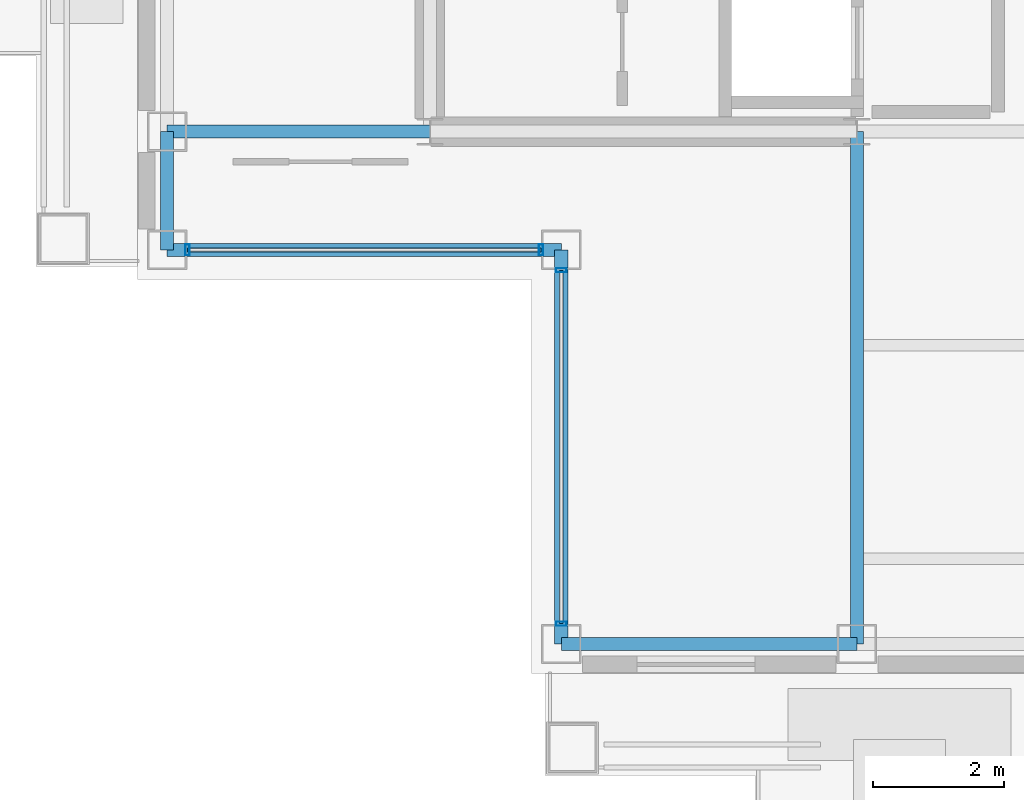
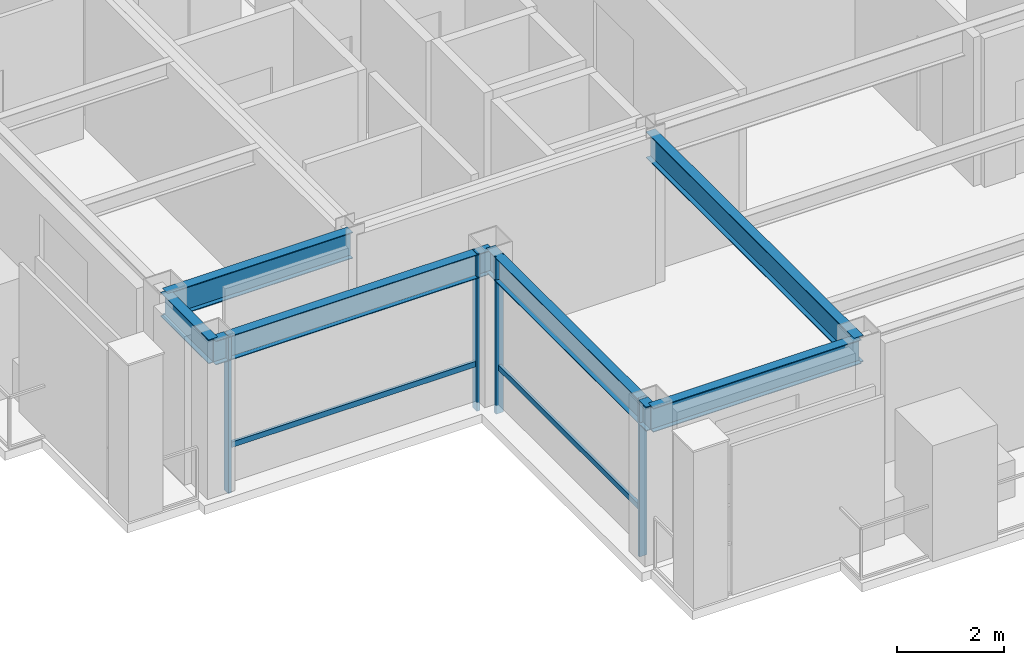
# One storey, part 3 of 27: 6 beams, 6 members, 2 elements without a shape of their own.
"""IFC4 building model written with IfcOpenShell, lengths in metres."""

from ifc_helpers import new_model, si_unit, direction, frame, origin, origin_2d, place, context, subcontext, project, spatial, hollow_rectangle, i_section, extrude, material, layer, layer_set, material_profile, profile_set, type_object, element, aggregate, save


model = new_model("IFC4")

# Units and contexts
model_context = context("Model", 3, precision=1e-05, world=origin(), true_north=direction((0.0, 1.0)))
body_context = subcontext(model_context, "Body", "Model", "MODEL_VIEW")
ifc_project = project(units=[si_unit("LENGTHUNIT", "METRE"), si_unit("AREAUNIT", "SQUARE_METRE"), si_unit("VOLUMEUNIT", "CUBIC_METRE"), si_unit("PLANEANGLEUNIT", "RADIAN"), si_unit("MASSUNIT", "GRAM", prefix="KILO")], contexts=[model_context])

# Site, building, storey
site_placement = place(None, origin())
site = spatial("IfcSite", under=ifc_project, at=site_placement, CompositionType="ELEMENT")
building_placement = place(site_placement, origin())
building = spatial("IfcBuilding", under=site, at=building_placement, Name="Brelmoor Portico Tower", CompositionType="ELEMENT")
storey_placement = place(building_placement, frame((0.0, 0.0, 258.0)))
storey = spatial("IfcBuildingStorey", under=building, at=storey_placement, Name="L68", CompositionType="ELEMENT", Elevation=258.0)

# Beams
ifc_material_1 = material(Name="Steel Q355B", Category="steel")
ifc_material_profile_1 = material_profile(ifc_material_1, i_section(OverallWidth=0.199951171875, OverallDepth=0.60009765625, WebThickness=0.010986328125, FlangeThickness=0.01708984375, at=origin_2d()), Name="HN 600x200x11x17")
ifc_profile_set_1 = profile_set([ifc_material_profile_1], Name="Steel Q355B")
beam_type_1 = type_object("IfcBeamType", Name="BM-PG-600", PredefinedType="BEAM", material=ifc_profile_set_1)
beam_1_placement = place(storey_placement, frame((-8.050048828125, -17.550048828125, 3.10009765625), z_axis=(0.0, 1.0, 0.0), x_axis=(-1.0, 0.0, 0.0)))
element("IfcBeam", 1, at=beam_1_placement, inside=storey, type_object=beam_type_1, Name="L68 Primary Floor Girder PG-03", PredefinedType="BEAM", context=body_context, shape_type="SweptSolid", body=[
    extrude(i_section(OverallWidth=0.199951171875, OverallDepth=0.60009765625, WebThickness=0.010986328125, FlangeThickness=0.01708984375, at=origin_2d()), origin(), (0.0, 0.0, 1.0), 7.800048828125),
])
beam_2_placement = place(storey_placement, frame((-18.550048828125, -9.75, 3.10009765625), z_axis=(1.0, 0.0, 0.0), x_axis=(0.0, 1.0, 0.0)))
element("IfcBeam", 2, at=beam_2_placement, inside=storey, type_object=beam_type_1, Name="L68 Primary Floor Girder PG-11", PredefinedType="BEAM", context=body_context, shape_type="SweptSolid", body=[
    extrude(i_section(OverallWidth=0.199951171875, OverallDepth=0.60009765625, WebThickness=0.010986328125, FlangeThickness=0.01708984375, at=origin_2d()), origin(), (0.0, 0.0, 1.0), 4.0),
])
ifc_material_profile_2 = material_profile(ifc_material_1, i_section(OverallWidth=0.199951171875, OverallDepth=0.550048828125, WebThickness=0.010009765625, FlangeThickness=0.01611328125, at=origin_2d()), Name="HN 550x200x10x16")
ifc_profile_set_2 = profile_set([ifc_material_profile_2], Name="Steel Q355B")
beam_type_2 = type_object("IfcBeamType", Name="BM-SP-550", PredefinedType="SPANDREL", material=ifc_profile_set_2)
beam_3_placement = place(storey_placement, frame((-12.550048828125, -17.550048828125, 3.125), z_axis=(1.0, 0.0, 0.0), x_axis=(0.0, 1.0, 0.0)))
element("IfcBeam", 3, at=beam_3_placement, inside=storey, type_object=beam_type_2, Name="L68 Perimeter Spandrel Beam SP-01", PredefinedType="SPANDREL", context=body_context, shape_type="SweptSolid", body=[
    extrude(i_section(OverallWidth=0.199951171875, OverallDepth=0.550048828125, WebThickness=0.010009765625, FlangeThickness=0.01611328125, at=origin_2d()), origin(), (0.0, 0.0, 1.0), 4.5),
])
beam_4_placement = place(storey_placement, frame((-18.550048828125, -11.550048828125, 3.125), z_axis=(1.0, 0.0, 0.0), x_axis=(0.0, 1.0, 0.0)))
element("IfcBeam", 4, at=beam_4_placement, inside=storey, type_object=beam_type_2, Name="L68 Perimeter Spandrel Beam SP-04", PredefinedType="SPANDREL", context=body_context, shape_type="SweptSolid", body=[
    extrude(i_section(OverallWidth=0.199951171875, OverallDepth=0.550048828125, WebThickness=0.010009765625, FlangeThickness=0.01611328125, at=origin_2d()), origin(), (0.0, 0.0, 1.0), 6.0),
])
beam_5_placement = place(storey_placement, frame((-18.550048828125, -11.550048828125, 3.125), z_axis=(0.0, 1.0, 0.0), x_axis=(-1.0, 0.0, 0.0)))
element("IfcBeam", 5, at=beam_5_placement, inside=storey, type_object=beam_type_2, Name="L68 Perimeter Spandrel Beam SP-11", PredefinedType="SPANDREL", context=body_context, shape_type="SweptSolid", body=[
    extrude(i_section(OverallWidth=0.199951171875, OverallDepth=0.550048828125, WebThickness=0.010009765625, FlangeThickness=0.01611328125, at=origin_2d()), origin(), (0.0, 0.0, 1.0), 1.800048828125),
])
beam_6_placement = place(storey_placement, frame((-12.550048828125, -17.550048828125, 3.125), z_axis=(0.0, 1.0, 0.0), x_axis=(-1.0, 0.0, 0.0)))
element("IfcBeam", 6, at=beam_6_placement, inside=storey, type_object=beam_type_2, Name="L68 Perimeter Spandrel Beam SP-14", PredefinedType="SPANDREL", context=body_context, shape_type="SweptSolid", body=[
    extrude(i_section(OverallWidth=0.199951171875, OverallDepth=0.550048828125, WebThickness=0.010009765625, FlangeThickness=0.01611328125, at=origin_2d()), origin(), (0.0, 0.0, 1.0), 6.0),
])

# Curtain wall, members
ifc_material_2 = material(Name="Anodised Aluminium Alloy 6063-T6", Category="aluminium")
ifc_layer = layer(ifc_material_2, 0.179931640625)
ifc_layer_set = layer_set([ifc_layer], Name="Anodised Aluminium Alloy 6063-T6")
curtain_wall_type = type_object("IfcCurtainWallType", Name="CW-NOTCH-CHAMFER", PredefinedType="NOTDEFINED", material=ifc_layer_set)
curtain_wall_1_placement = place(storey_placement, origin())
curtain_wall_1 = element("IfcCurtainWall", 7, at=curtain_wall_1_placement, inside=storey, type_object=curtain_wall_type, Name="L68 Curtain Wall CWN-L68-SWH", PredefinedType="NOTDEFINED")
ifc_material_profile_3 = material_profile(ifc_material_2, hollow_rectangle(XDim=0.06494140625, YDim=0.1650390625, WallThickness=0.00390625, at=origin_2d()), Name="ALU MULLION 65x165")
ifc_profile_set_3 = profile_set([ifc_material_profile_3], Name="Anodised Aluminium Alloy 6063-T6")
member_type_1 = type_object("IfcMemberType", Name="MB-CW-MULL-165", PredefinedType="MULLION", material=ifc_profile_set_3)
member_1_placement = place(storey_placement, frame((-18.239990234375, -11.550048828125, -0.199951171875), z_axis=(0.0, 0.0, 1.0), x_axis=(1.0, 0.0, 0.0)))
member_1 = element("IfcMember", 8, at=member_1_placement, type_object=member_type_1, Name="CWN-L68-SWH Mullion 00", PredefinedType="MULLION", context=body_context, shape_type="SweptSolid", body=[
    extrude(hollow_rectangle(XDim=0.06494140625, YDim=0.1650390625, WallThickness=0.00390625, at=origin_2d()), origin(), (0.0, 0.0, 1.0), 3.599853515625),
])
member_2_placement = place(storey_placement, frame((-12.860107421875, -11.550048828125, -0.199951171875), z_axis=(0.0, 0.0, 1.0), x_axis=(1.0, 0.0, 0.0)))
member_2 = element("IfcMember", 9, at=member_2_placement, type_object=member_type_1, Name="CWN-L68-SWH Mullion 01", PredefinedType="MULLION", context=body_context, shape_type="SweptSolid", body=[
    extrude(hollow_rectangle(XDim=0.06494140625, YDim=0.1650390625, WallThickness=0.00390625, at=origin_2d()), origin(), (0.0, 0.0, 1.0), 3.599853515625),
])

curtain_wall_2_placement = place(storey_placement, origin())
curtain_wall_2 = element("IfcCurtainWall", 10, at=curtain_wall_2_placement, inside=storey, type_object=curtain_wall_type, Name="L68 Curtain Wall CWN-L68-SWV", PredefinedType="NOTDEFINED")
member_3_placement = place(storey_placement, frame((-12.550048828125, -17.239990234375, -0.199951171875), z_axis=(0.0, 0.0, 1.0), x_axis=(0.0, 1.0, 0.0)))
member_3 = element("IfcMember", 11, at=member_3_placement, type_object=member_type_1, Name="CWN-L68-SWV Mullion 00", PredefinedType="MULLION", context=body_context, shape_type="SweptSolid", body=[
    extrude(hollow_rectangle(XDim=0.06494140625, YDim=0.1650390625, WallThickness=0.00390625, at=origin_2d()), origin(), (0.0, 0.0, 1.0), 3.599853515625),
])
member_4_placement = place(storey_placement, frame((-12.550048828125, -11.860107421875, -0.199951171875), z_axis=(0.0, 0.0, 1.0), x_axis=(0.0, 1.0, 0.0)))
member_4 = element("IfcMember", 12, at=member_4_placement, type_object=member_type_1, Name="CWN-L68-SWV Mullion 01", PredefinedType="MULLION", context=body_context, shape_type="SweptSolid", body=[
    extrude(hollow_rectangle(XDim=0.06494140625, YDim=0.1650390625, WallThickness=0.00390625, at=origin_2d()), origin(), (0.0, 0.0, 1.0), 3.599853515625),
])

# Member
ifc_material_profile_4 = material_profile(ifc_material_2, hollow_rectangle(XDim=0.06005859375, YDim=0.125, WallThickness=0.00341796875, at=origin_2d()), Name="ALU TRANSOM 60x125")
ifc_profile_set_4 = profile_set([ifc_material_profile_4], Name="Anodised Aluminium Alloy 6063-T6")
member_type_2 = type_object("IfcMemberType", Name="MB-CW-TRAN-125", PredefinedType="USERDEFINED", material=ifc_profile_set_4)
member_5_placement = place(storey_placement, frame((-18.239990234375, -11.550048828125, 0.85009765625), z_axis=(1.0, 0.0, 0.0), x_axis=(0.0, 1.0, 0.0)))
member_5 = element("IfcMember", 13, at=member_5_placement, type_object=member_type_2, Name="CWN-L68-SWH Transom 1-00", ObjectType="TRANSOM", PredefinedType="USERDEFINED", context=body_context, shape_type="SweptSolid", body=[
    extrude(hollow_rectangle(XDim=0.06005859375, YDim=0.125, WallThickness=0.00341796875, at=origin_2d()), origin(), (0.0, 0.0, 1.0), 5.3798828125),
])

aggregate(curtain_wall_1, [member_1, member_2, member_5])

member_6_placement = place(storey_placement, frame((-12.550048828125, -17.239990234375, 0.85009765625), z_axis=(0.0, 1.0, 0.0), x_axis=(-1.0, 0.0, 0.0)))
member_6 = element("IfcMember", 14, at=member_6_placement, type_object=member_type_2, Name="CWN-L68-SWV Transom 1-00", ObjectType="TRANSOM", PredefinedType="USERDEFINED", context=body_context, shape_type="SweptSolid", body=[
    extrude(hollow_rectangle(XDim=0.06005859375, YDim=0.125, WallThickness=0.00341796875, at=origin_2d()), origin(), (0.0, 0.0, 1.0), 5.3798828125),
])

aggregate(curtain_wall_2, [member_3, member_4, member_6])

save(model, "model.ifc")
